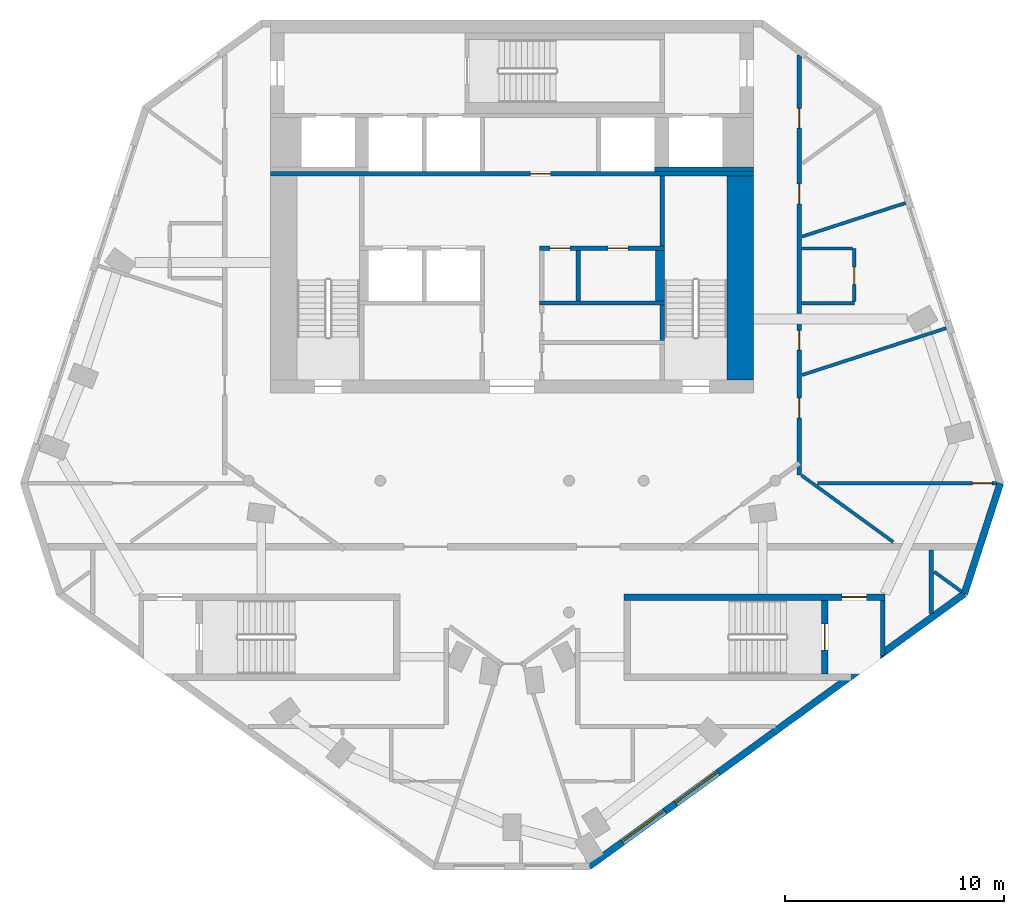
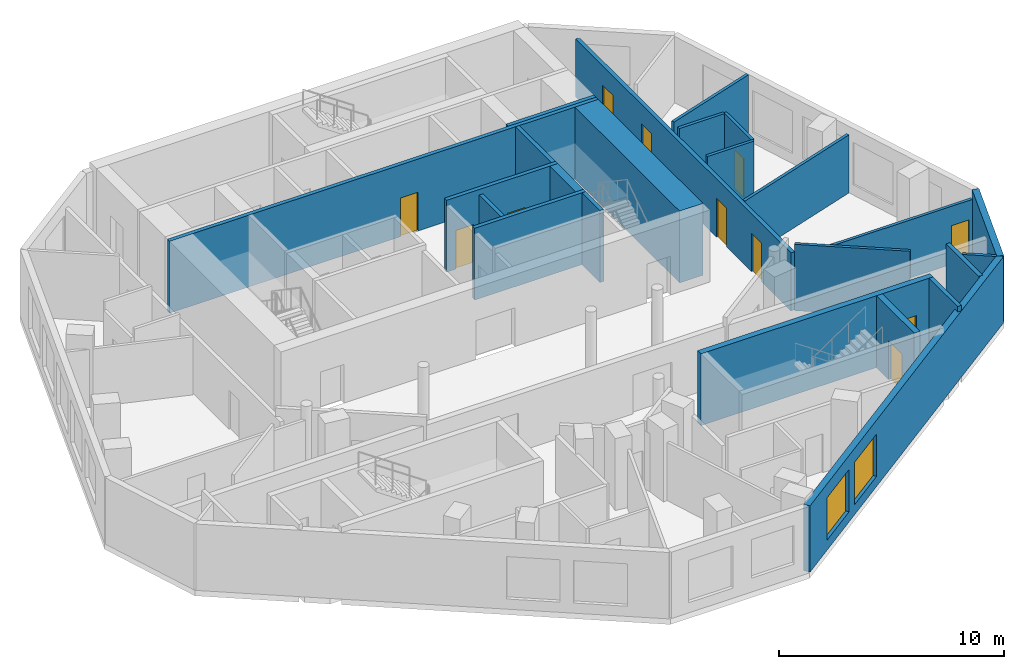
# One storey, part 4 of 8: 24 walls, 11 doors, 2 windows, 13 openings.
"""IFC4 building model written with IfcOpenShell, lengths in metres."""

from ifc_helpers import new_model, si_unit, direction, frame, frame_2d, origin, place, context, subcontext, project, spatial, rectangle, extrude, material, layer, layer_set, type_object, element, fill, save


model = new_model("IFC4")

# Units and contexts
model_context = context("Model", 3, precision=1e-05, world=origin(), true_north=direction((0.0, 1.0)))
body_context = subcontext(model_context, "Body", "Model", "MODEL_VIEW")
ifc_project = project(units=[si_unit("LENGTHUNIT", "METRE"), si_unit("AREAUNIT", "SQUARE_METRE"), si_unit("VOLUMEUNIT", "CUBIC_METRE"), si_unit("PLANEANGLEUNIT", "RADIAN"), si_unit("MASSUNIT", "GRAM", prefix="KILO")], contexts=[model_context])

# Site, building, storey
site_placement = place(None, origin())
site = spatial("IfcSite", under=ifc_project, at=site_placement, CompositionType="ELEMENT")
building_placement = place(site_placement, origin())
building = spatial("IfcBuilding", under=site, at=building_placement, Name="White Candle Pilgrim Tower", CompositionType="ELEMENT")
storey_placement = place(building_placement, frame((0.0, 0.0, 313.89990234375)))
storey = spatial("IfcBuildingStorey", under=building, at=storey_placement, Name="L74", CompositionType="ELEMENT", Elevation=313.89990234375)

# Walls
ifc_material_1 = material(Name="Concrete C40/50", Category="concrete")
ifc_layer_1 = layer(ifc_material_1, 0.199951171875)
ifc_layer_set_1 = layer_set([ifc_layer_1], Name="Core wall 200 mm Concrete C40/50")
wall_type_1 = type_object("IfcWallType", Name="Core wall 200 mm Concrete C40/50", PredefinedType="SHEAR", material=ifc_layer_set_1)
wall_1_placement = place(storey_placement, frame((86.89990234375, 59.023193359375, 0.0), z_axis=(0.0, 0.0, 1.0), x_axis=(0.0, 1.0, 0.0)))
element("IfcWall", 1, at=wall_1_placement, inside=storey, type_object=wall_type_1, Name="WL-L74-C08", PredefinedType="SHEAR", context=body_context, shape_type="SweptSolid", body=[
    extrude(rectangle(XDim=2.52685546875, YDim=0.199951171875, at=frame_2d((1.263427734375, 0.0))), origin(), (0.0, 0.0, 1.0), 3.900146484375),
])
wall_2_placement = place(storey_placement, frame((76.5, 81.199951171875, 0.0), z_axis=(0.0, 0.0, 1.0), x_axis=(1.0, 0.0, 0.0)))
element("IfcWall", 2, at=wall_2_placement, inside=storey, type_object=wall_type_1, Name="WL-L74-C38", PredefinedType="SHEAR", context=body_context, shape_type="SweptSolid", body=[
    extrude(rectangle(XDim=4.5, YDim=0.199951171875, at=frame_2d((2.25, 0.0))), origin(), (0.0, 0.0, 1.0), 3.900146484375),
])

# Wall, openings, doors
ifc_material_2 = material(Name="Gypsum board on steel studs", Category="steel")
ifc_layer_2 = layer(ifc_material_2, 0.199951171875)
ifc_layer_set_2 = layer_set([ifc_layer_2], Name="Corridor wall 200 mm EI 45")
wall_type_2 = type_object("IfcWallType", Name="Corridor wall 200 mm EI 45", PredefinedType="PARTITIONING", material=ifc_layer_set_2)
wall_3_placement = place(storey_placement, frame((83.10009765625, 86.396240234375, 0.0), z_axis=(0.0, 0.0, 1.0), x_axis=(0.0, -1.0, 0.0)))
wall_3 = element("IfcWall", 3, at=wall_3_placement, inside=storey, type_object=wall_type_2, Name="WL-L74-P005", PredefinedType="PARTITIONING", context=body_context, shape_type="SweptSolid", body=[
    extrude(rectangle(XDim=19.14404296875, YDim=0.199951171875, at=frame_2d((9.572021484375, 0.0))), origin(), (0.0, 0.0, 1.0), 3.150146484375),
])
opening_1_placement = place(wall_3_placement, frame((2.421630859375, 0.0, 0.0)))
opening_1 = element("IfcOpeningElement", 4, at=opening_1_placement, cuts=wall_3, Name="Opening T22-113", PredefinedType="OPENING", context=body_context, shape_type="SweptSolid", body=[
    extrude(rectangle(XDim=0.89990234375, YDim=2.10009765625, at=frame_2d((0.449951171875, 1.050048828125))), frame((0.0, 0.10986328125, 0.0), z_axis=(0.0, -1.0, 0.0), x_axis=(1.0, 0.0, 0.0)), (0.0, 0.0, 1.0), 0.219970703125),
])
opening_2_placement = place(wall_3_placement, frame((5.872802734375, 0.0, 0.0)))
opening_2 = element("IfcOpeningElement", 5, at=opening_2_placement, cuts=wall_3, Name="Opening T22-114", PredefinedType="OPENING", context=body_context, shape_type="SweptSolid", body=[
    extrude(rectangle(XDim=0.89990234375, YDim=2.10009765625, at=frame_2d((0.449951171875, 1.050048828125))), frame((0.0, 0.10986328125, 0.0), z_axis=(0.0, -1.0, 0.0), x_axis=(1.0, 0.0, 0.0)), (0.0, 0.0, 1.0), 0.219970703125),
])
opening_3_placement = place(wall_3_placement, frame((12.539306640625, 0.0, 0.0)))
opening_3 = element("IfcOpeningElement", 6, at=opening_3_placement, cuts=wall_3, Name="Opening T22-115", PredefinedType="OPENING", context=body_context, shape_type="SweptSolid", body=[
    extrude(rectangle(XDim=0.89990234375, YDim=2.10009765625, at=frame_2d((0.449951171875, 1.050048828125))), frame((0.0, 0.10986328125, 0.0), z_axis=(0.0, -1.0, 0.0), x_axis=(1.0, 0.0, 0.0)), (0.0, 0.0, 1.0), 0.219970703125),
])
opening_4_placement = place(wall_3_placement, frame((15.6279296875, 0.0, 0.0)))
opening_4 = element("IfcOpeningElement", 7, at=opening_4_placement, cuts=wall_3, Name="Opening T22-116", PredefinedType="OPENING", context=body_context, shape_type="SweptSolid", body=[
    extrude(rectangle(XDim=0.89990234375, YDim=2.10009765625, at=frame_2d((0.449951171875, 1.050048828125))), frame((0.0, 0.10986328125, 0.0), z_axis=(0.0, -1.0, 0.0), x_axis=(1.0, 0.0, 0.0)), (0.0, 0.0, 1.0), 0.219970703125),
])
ifc_material_3 = material(Name="Steel door leaf", Category="steel")
door_type_1 = type_object("IfcDoorType", Name="Fire door 900 x 2100 EI 30", OperationType="NOTDEFINED", PredefinedType="DOOR", material=ifc_material_3)
door_1_placement = place(opening_1_placement, origin())
door_1 = element("IfcDoor", 8, at=door_1_placement, inside=storey, type_object=door_type_1, Name="Door T22-113", OperationType="SINGLE_SWING_LEFT", OverallHeight=2.10009765625, OverallWidth=0.89990234375, PredefinedType="DOOR", context=body_context, shape_type="SweptSolid", body=[
    extrude(rectangle(XDim=0.89990234375, YDim=2.10009765625, at=frame_2d((0.449951171875, 1.050048828125))), frame((0.0, 0.02490234375, 0.0), z_axis=(0.0, -1.0, 0.0), x_axis=(1.0, 0.0, 0.0)), (0.0, 0.0, 1.0), 0.050048828125),
])
fill(opening_1, door_1)
door_2_placement = place(opening_2_placement, origin())
door_2 = element("IfcDoor", 9, at=door_2_placement, inside=storey, type_object=door_type_1, Name="Door T22-114", OperationType="SINGLE_SWING_RIGHT", OverallHeight=2.10009765625, OverallWidth=0.89990234375, PredefinedType="DOOR", context=body_context, shape_type="SweptSolid", body=[
    extrude(rectangle(XDim=0.89990234375, YDim=2.10009765625, at=frame_2d((0.449951171875, 1.050048828125))), frame((0.0, 0.02490234375, 0.0), z_axis=(0.0, -1.0, 0.0), x_axis=(1.0, 0.0, 0.0)), (0.0, 0.0, 1.0), 0.050048828125),
])
fill(opening_2, door_2)
door_3_placement = place(opening_3_placement, origin())
door_3 = element("IfcDoor", 10, at=door_3_placement, inside=storey, type_object=door_type_1, Name="Door T22-115", OperationType="SINGLE_SWING_LEFT", OverallHeight=2.10009765625, OverallWidth=0.89990234375, PredefinedType="DOOR", context=body_context, shape_type="SweptSolid", body=[
    extrude(rectangle(XDim=0.89990234375, YDim=2.10009765625, at=frame_2d((0.449951171875, 1.050048828125))), frame((0.0, 0.02490234375, 0.0), z_axis=(0.0, -1.0, 0.0), x_axis=(1.0, 0.0, 0.0)), (0.0, 0.0, 1.0), 0.050048828125),
])
fill(opening_3, door_3)
door_4_placement = place(opening_4_placement, origin())
door_4 = element("IfcDoor", 11, at=door_4_placement, inside=storey, type_object=door_type_1, Name="Door T22-116", OperationType="SINGLE_SWING_RIGHT", OverallHeight=2.10009765625, OverallWidth=0.89990234375, PredefinedType="DOOR", context=body_context, shape_type="SweptSolid", body=[
    extrude(rectangle(XDim=0.89990234375, YDim=2.10009765625, at=frame_2d((0.449951171875, 1.050048828125))), frame((0.0, 0.02490234375, 0.0), z_axis=(0.0, -1.0, 0.0), x_axis=(1.0, 0.0, 0.0)), (0.0, 0.0, 1.0), 0.050048828125),
])
fill(opening_4, door_4)

# Wall
wall_4_placement = place(storey_placement, frame((89.10009765625, 63.85009765625, 0.0), z_axis=(0.0, 0.0, 1.0), x_axis=(0.0, -1.0, 0.0)))
element("IfcWall", 12, at=wall_4_placement, inside=storey, type_object=wall_type_2, Name="WL-L74-P007", PredefinedType="PARTITIONING", context=body_context, shape_type="SweptSolid", body=[
    extrude(rectangle(XDim=2.90576171875, YDim=0.199951171875, at=frame_2d((1.452880859375, 0.0))), origin(), (0.0, 0.0, 1.0), 3.60009765625),
])

# Wall, openings, windows
ifc_material_4 = material(Name="Precast concrete C40/50", Category="concrete")
ifc_layer_3 = layer(ifc_material_4, 0.320068359375)
ifc_layer_set_3 = layer_set([ifc_layer_3], Name="Facade wall EW1 precast concrete C40/50 pier wall with timber-lined reveals")
wall_type_3 = type_object("IfcWallType", Name="Facade wall EW1 precast concrete C40/50 pier wall with timber-lined reveals", PredefinedType="SOLIDWALL", material=ifc_layer_set_3)
wall_5_placement = place(storey_placement, frame((73.521484375, 49.42822265625, 0.0), z_axis=(0.0, 0.0, 1.0), x_axis=(0.809014717996, 0.587788385447, 0.0)))
wall_5 = element("IfcWall", 13, at=wall_5_placement, inside=storey, type_object=wall_type_3, Name="Facade wall L74 SE", PredefinedType="SOLIDWALL", context=body_context, shape_type="SweptSolid", body=[
    extrude(rectangle(XDim=21.1357421875, YDim=0.320068359375, at=frame_2d((10.56787109375, 0.0))), origin(), (0.0, 0.0, 1.0), 3.60009765625),
])
opening_5_placement = place(wall_5_placement, frame((1.867919921875, 0.0, 0.550048828125)))
opening_5 = element("IfcOpeningElement", 14, at=opening_5_placement, cuts=wall_5, Name="Opening W5", PredefinedType="OPENING", context=body_context, shape_type="SweptSolid", body=[
    extrude(rectangle(XDim=2.39990234375, YDim=2.300048828125, at=frame_2d((1.199951171875, 1.14990234375))), frame((0.0, 0.169921875, 0.0), z_axis=(0.0, -1.0, 0.0), x_axis=(1.0, 0.0, 0.0)), (0.0, 0.0, 1.0), 0.340087890625),
])
opening_6_placement = place(wall_5_placement, frame((4.867919921875, 0.0, 0.550048828125)))
opening_6 = element("IfcOpeningElement", 15, at=opening_6_placement, cuts=wall_5, Name="Opening W5", PredefinedType="OPENING", context=body_context, shape_type="SweptSolid", body=[
    extrude(rectangle(XDim=2.39990234375, YDim=2.300048828125, at=frame_2d((1.199951171875, 1.14990234375))), frame((0.0, 0.169921875, 0.0), z_axis=(0.0, -1.0, 0.0), x_axis=(1.0, 0.0, 0.0)), (0.0, 0.0, 1.0), 0.340087890625),
])
ifc_material_5 = material(Name="Timber frame with triple glazing", Category="wood")
window_type = type_object("IfcWindowType", Name="Window W5 2400x2300 timber frame triple glazing", PartitioningType="SINGLE_PANEL", PredefinedType="WINDOW", material=ifc_material_5)
window_1_placement = place(opening_5_placement, origin())
window_1 = element("IfcWindow", 16, at=window_1_placement, inside=storey, type_object=window_type, Name="Window W5 L74 SE 1", OverallHeight=2.300048828125, OverallWidth=2.39990234375, PartitioningType="SINGLE_PANEL", PredefinedType="WINDOW", context=body_context, shape_type="SweptSolid", body=[
    extrude(rectangle(XDim=2.39990234375, YDim=2.300048828125, at=frame_2d((1.199951171875, 1.14990234375))), frame((0.0, 0.070068359375, 0.0), z_axis=(0.0, -1.0, 0.0), x_axis=(1.0, 0.0, 0.0)), (0.0, 0.0, 1.0), 0.06005859375),
])
fill(opening_5, window_1)
window_2_placement = place(opening_6_placement, origin())
window_2 = element("IfcWindow", 17, at=window_2_placement, inside=storey, type_object=window_type, Name="Window W5 L74 SE 2", OverallHeight=2.300048828125, OverallWidth=2.39990234375, PartitioningType="SINGLE_PANEL", PredefinedType="WINDOW", context=body_context, shape_type="SweptSolid", body=[
    extrude(rectangle(XDim=2.39990234375, YDim=2.300048828125, at=frame_2d((1.199951171875, 1.14990234375))), frame((0.0, 0.070068359375, 0.0), z_axis=(0.0, -1.0, 0.0), x_axis=(1.0, 0.0, 0.0)), (0.0, 0.0, 1.0), 0.06005859375),
])
fill(opening_6, window_2)

# Walls
wall_6_placement = place(storey_placement, frame((90.62060546875, 61.8515625, 0.0), z_axis=(0.0, 0.0, 1.0), x_axis=(0.30904851291, 0.951046274725, 0.0)))
element("IfcWall", 18, at=wall_6_placement, inside=storey, type_object=wall_type_3, Name="Facade wall L74 E chamfer", PredefinedType="SOLIDWALL", context=body_context, shape_type="SweptSolid", body=[
    extrude(rectangle(XDim=5.291259765625, YDim=0.320068359375, at=frame_2d((2.6455078125, 0.0))), origin(), (0.0, 0.0, 1.0), 3.60009765625),
])
ifc_layer_4 = layer(ifc_material_2, 0.199951171875)
ifc_layer_set_4 = layer_set([ifc_layer_4], Name="Lobby wall 200 mm EI 60")
wall_type_4 = type_object("IfcWallType", Name="Lobby wall 200 mm EI 60", PredefinedType="PARTITIONING", material=ifc_layer_set_4)
wall_7_placement = place(storey_placement, frame((73.02001953125, 75.199951171875, 0.0), z_axis=(0.0, 0.0, 1.0), x_axis=(0.0, 1.0, 0.0)))
element("IfcWall", 19, at=wall_7_placement, inside=storey, type_object=wall_type_4, Name="WL-L74-C27", PredefinedType="PARTITIONING", context=body_context, shape_type="SweptSolid", body=[
    extrude(rectangle(XDim=2.300048828125, YDim=0.199951171875, at=frame_2d((1.14990234375, 0.0))), origin(), (0.0, 0.0, 1.0), 3.60009765625),
])
ifc_layer_5 = layer(ifc_material_2, 0.14990234375)
ifc_layer_set_5 = layer_set([ifc_layer_5], Name="Partition 150 mm EI 60")
wall_type_5 = type_object("IfcWallType", Name="Partition 150 mm EI 60", PredefinedType="PARTITIONING", material=ifc_layer_set_5)
wall_8_placement = place(storey_placement, frame((90.484619140625, 61.950439453125, 0.0), z_axis=(0.0, 0.0, 1.0), x_axis=(-0.809059590881, 0.587726618764, 0.0)))
element("IfcWall", 20, at=wall_8_placement, inside=storey, type_object=wall_type_5, Name="WL-L74-P021", PredefinedType="PARTITIONING", context=body_context, shape_type="SweptSolid", body=[
    extrude(rectangle(XDim=1.533203125, YDim=0.14990234375, at=frame_2d((0.7666015625, 0.0))), origin(), (0.0, 0.0, 1.0), 3.60009765625),
])
wall_9_placement = place(storey_placement, frame((87.37353515625, 64.210693359375, 0.0), z_axis=(0.0, 0.0, 1.0), x_axis=(-0.809024239464, 0.587775280153, 0.0)))
element("IfcWall", 21, at=wall_9_placement, inside=storey, type_object=wall_type_5, Name="WL-L74-P022", PredefinedType="PARTITIONING", context=body_context, shape_type="SweptSolid", body=[
    extrude(rectangle(XDim=5.164306640625, YDim=0.14990234375, at=frame_2d((2.58203125, 0.0))), origin(), (0.0, 0.0, 1.0), 3.60009765625),
])

# Wall, opening, door
wall_10_placement = place(storey_placement, frame((92.08740234375, 66.8837890625, 0.0), z_axis=(0.0, 0.0, 1.0), x_axis=(-1.0, 0.0, 0.0)))
wall_10 = element("IfcWall", 22, at=wall_10_placement, inside=storey, type_object=wall_type_5, Name="WL-L74-P023", PredefinedType="PARTITIONING", context=body_context, shape_type="SweptSolid", body=[
    extrude(rectangle(XDim=8.162353515625, YDim=0.14990234375, at=frame_2d((4.0810546875, 0.0))), origin(), (0.0, 0.0, 1.0), 3.150146484375),
])
opening_7_placement = place(wall_10_placement, frame((0.199951171875, 0.0, 0.0)))
opening_7 = element("IfcOpeningElement", 23, at=opening_7_placement, cuts=wall_10, Name="Opening T22-117", PredefinedType="OPENING", context=body_context, shape_type="SweptSolid", body=[
    extrude(rectangle(XDim=0.89990234375, YDim=2.10009765625, at=frame_2d((0.449951171875, 1.050048828125))), frame((0.0, 0.0849609375, 0.0), z_axis=(0.0, -1.0, 0.0), x_axis=(1.0, 0.0, 0.0)), (0.0, 0.0, 1.0), 0.169921875),
])
door_5_placement = place(opening_7_placement, origin())
door_5 = element("IfcDoor", 24, at=door_5_placement, inside=storey, type_object=door_type_1, Name="Door T22-117", OperationType="SINGLE_SWING_LEFT", OverallHeight=2.10009765625, OverallWidth=0.89990234375, PredefinedType="DOOR", context=body_context, shape_type="SweptSolid", body=[
    extrude(rectangle(XDim=0.89990234375, YDim=2.10009765625, at=frame_2d((0.449951171875, 1.050048828125))), frame((0.0, 0.02490234375, 0.0), z_axis=(0.0, -1.0, 0.0), x_axis=(1.0, 0.0, 0.0)), (0.0, 0.0, 1.0), 0.050048828125),
])
fill(opening_7, door_5)

# Walls
wall_11_placement = place(storey_placement, frame((89.7900390625, 73.95458984375, 0.0), z_axis=(0.0, 0.0, 1.0), x_axis=(-0.951053294802, -0.309026908936, 0.0)))
element("IfcWall", 25, at=wall_11_placement, inside=storey, type_object=wall_type_5, Name="WL-L74-P033", PredefinedType="PARTITIONING", context=body_context, shape_type="SweptSolid", body=[
    extrude(rectangle(XDim=6.90478515625, YDim=0.14990234375, at=frame_2d((3.452392578125, 0.0))), origin(), (0.0, 0.0, 1.0), 3.150146484375),
])
wall_12_placement = place(storey_placement, frame((87.93603515625, 79.660888671875, 0.0), z_axis=(0.0, 0.0, 1.0), x_axis=(-0.95104565369, -0.309050424036, 0.0)))
element("IfcWall", 26, at=wall_12_placement, inside=storey, type_object=wall_type_5, Name="WL-L74-P034", PredefinedType="PARTITIONING", context=body_context, shape_type="SweptSolid", body=[
    extrude(rectangle(XDim=4.95556640625, YDim=0.14990234375, at=frame_2d((2.477783203125, 0.0))), origin(), (0.0, 0.0, 1.0), 3.60009765625),
])
wall_13_placement = place(storey_placement, frame((83.199951171875, 75.089599609375, 0.0), z_axis=(0.0, 0.0, 1.0), x_axis=(1.0, 0.0, 0.0)))
element("IfcWall", 27, at=wall_13_placement, inside=storey, type_object=wall_type_5, Name="WL-L74-P035", PredefinedType="PARTITIONING", context=body_context, shape_type="SweptSolid", body=[
    extrude(rectangle(XDim=2.400146484375, YDim=0.14990234375, at=frame_2d((1.2001953125, 0.0))), origin(), (0.0, 0.0, 1.0), 3.60009765625),
])

# Wall, opening, door
wall_14_placement = place(storey_placement, frame((85.60009765625, 77.589599609375, 0.0), z_axis=(0.0, 0.0, 1.0), x_axis=(0.0, -1.0, 0.0)))
wall_14 = element("IfcWall", 28, at=wall_14_placement, inside=storey, type_object=wall_type_5, Name="WL-L74-P036", PredefinedType="PARTITIONING", context=body_context, shape_type="SweptSolid", body=[
    extrude(rectangle(XDim=2.425048828125, YDim=0.14990234375, at=frame_2d((1.21240234375, 0.0))), origin(), (0.0, 0.0, 1.0), 3.60009765625),
])
opening_8_placement = place(wall_14_placement, frame((0.85009765625, 0.0, 0.0)))
opening_8 = element("IfcOpeningElement", 29, at=opening_8_placement, cuts=wall_14, Name="Opening T22-107", PredefinedType="OPENING", context=body_context, shape_type="SweptSolid", body=[
    extrude(rectangle(XDim=0.800048828125, YDim=2.10009765625, at=frame_2d((0.39990234375, 1.050048828125))), frame((0.0, 0.0849609375, 0.0), z_axis=(0.0, -1.0, 0.0), x_axis=(1.0, 0.0, 0.0)), (0.0, 0.0, 1.0), 0.169921875),
])
door_type_2 = type_object("IfcDoorType", Name="Fire door 800 x 2100 EI 30", OperationType="NOTDEFINED", PredefinedType="DOOR", material=ifc_material_3)
door_6_placement = place(opening_8_placement, origin())
door_6 = element("IfcDoor", 30, at=door_6_placement, inside=storey, type_object=door_type_2, Name="Door T22-107", OperationType="SINGLE_SWING_LEFT", OverallHeight=2.10009765625, OverallWidth=0.800048828125, PredefinedType="DOOR", context=body_context, shape_type="SweptSolid", body=[
    extrude(rectangle(XDim=0.800048828125, YDim=2.10009765625, at=frame_2d((0.39990234375, 1.050048828125))), frame((0.0, 0.02490234375, 0.0), z_axis=(0.0, -1.0, 0.0), x_axis=(1.0, 0.0, 0.0)), (0.0, 0.0, 1.0), 0.050048828125),
])
fill(opening_8, door_6)

# Walls
wall_15_placement = place(storey_placement, frame((83.199951171875, 77.589599609375, 0.0), z_axis=(0.0, 0.0, 1.0), x_axis=(1.0, 0.0, 0.0)))
element("IfcWall", 31, at=wall_15_placement, inside=storey, type_object=wall_type_5, Name="WL-L74-P037", PredefinedType="PARTITIONING", context=body_context, shape_type="SweptSolid", body=[
    extrude(rectangle(XDim=2.324951171875, YDim=0.14990234375, at=frame_2d((1.16259765625, 0.0))), origin(), (0.0, 0.0, 1.0), 3.60009765625),
])
ifc_layer_6 = layer(ifc_material_1, 1.199951171875)
ifc_layer_set_6 = layer_set([ifc_layer_6], Name="Stair shaft wall 1200 mm Concrete C40/50")
wall_type_6 = type_object("IfcWallType", Name="Stair shaft wall 1200 mm Concrete C40/50", PredefinedType="SHEAR", material=ifc_layer_set_6)
wall_16_placement = place(storey_placement, frame((80.39990234375, 71.60009765625, 0.0), z_axis=(0.0, 0.0, 1.0), x_axis=(0.0, 1.0, 0.0)))
element("IfcWall", 32, at=wall_16_placement, inside=storey, type_object=wall_type_6, Name="WL-L74-C17", PredefinedType="SHEAR", context=body_context, shape_type="SweptSolid", body=[
    extrude(rectangle(XDim=9.2998046875, YDim=1.199951171875, at=frame_2d((4.64990234375, 0.0))), origin(), (0.0, 0.0, 1.0), 3.900146484375),
])
ifc_layer_7 = layer(ifc_material_1, 0.199951171875)
ifc_layer_set_7 = layer_set([ifc_layer_7], Name="Stair shaft wall 200 mm Concrete C40/50")
wall_type_7 = type_object("IfcWallType", Name="Stair shaft wall 200 mm Concrete C40/50", PredefinedType="SHEAR", material=ifc_layer_set_7)
wall_17_placement = place(storey_placement, frame((76.85009765625, 73.39990234375, 0.0), z_axis=(0.0, 0.0, 1.0), x_axis=(0.0, 1.0, 0.0)))
element("IfcWall", 33, at=wall_17_placement, inside=storey, type_object=wall_type_7, Name="WL-L74-C20", PredefinedType="SHEAR", context=body_context, shape_type="SweptSolid", body=[
    extrude(rectangle(XDim=1.60009765625, YDim=0.199951171875, at=frame_2d((0.800048828125, 0.0))), origin(), (0.0, 0.0, 1.0), 3.900146484375),
])
wall_18_placement = place(storey_placement, frame((71.25, 75.10009765625, 0.0), z_axis=(0.0, 0.0, 1.0), x_axis=(1.0, 0.0, 0.0)))
element("IfcWall", 34, at=wall_18_placement, inside=storey, type_object=wall_type_7, Name="WL-L74-C22", PredefinedType="SHEAR", context=body_context, shape_type="SweptSolid", body=[
    extrude(rectangle(XDim=5.699951171875, YDim=0.199951171875, at=frame_2d((2.85009765625, 0.0))), origin(), (0.0, 0.0, 1.0), 3.900146484375),
])

# Wall, openings, doors
wall_19_placement = place(storey_placement, frame((71.25, 77.60009765625, 0.0), z_axis=(0.0, 0.0, 1.0), x_axis=(1.0, 0.0, 0.0)))
wall_19 = element("IfcWall", 35, at=wall_19_placement, inside=storey, type_object=wall_type_7, Name="WL-L74-C30", PredefinedType="SHEAR", context=body_context, shape_type="SweptSolid", body=[
    extrude(rectangle(XDim=5.699951171875, YDim=0.199951171875, at=frame_2d((2.85009765625, 0.0))), origin(), (0.0, 0.0, 1.0), 3.900146484375),
])
opening_9_placement = place(wall_19_placement, frame((0.485107421875, 0.0, 0.0)))
opening_9 = element("IfcOpeningElement", 36, at=opening_9_placement, cuts=wall_19, Name="Opening T22-020", PredefinedType="OPENING", context=body_context, shape_type="SweptSolid", body=[
    extrude(rectangle(XDim=0.89990234375, YDim=2.10009765625, at=frame_2d((0.449951171875, 1.050048828125))), frame((0.0, 0.10986328125, 0.0), z_axis=(0.0, -1.0, 0.0), x_axis=(1.0, 0.0, 0.0)), (0.0, 0.0, 1.0), 0.219970703125),
])
opening_10_placement = place(wall_19_placement, frame((3.135009765625, 0.0, 0.0)))
opening_10 = element("IfcOpeningElement", 37, at=opening_10_placement, cuts=wall_19, Name="Opening T22-021", PredefinedType="OPENING", context=body_context, shape_type="SweptSolid", body=[
    extrude(rectangle(XDim=0.89990234375, YDim=2.10009765625, at=frame_2d((0.449951171875, 1.050048828125))), frame((0.0, 0.10986328125, 0.0), z_axis=(0.0, -1.0, 0.0), x_axis=(1.0, 0.0, 0.0)), (0.0, 0.0, 1.0), 0.219970703125),
])
door_7_placement = place(opening_9_placement, origin())
door_7 = element("IfcDoor", 38, at=door_7_placement, inside=storey, type_object=door_type_1, Name="Door T22-020", OperationType="SINGLE_SWING_RIGHT", OverallHeight=2.10009765625, OverallWidth=0.89990234375, PredefinedType="DOOR", context=body_context, shape_type="SweptSolid", body=[
    extrude(rectangle(XDim=0.89990234375, YDim=2.10009765625, at=frame_2d((0.449951171875, 1.050048828125))), frame((0.0, 0.02490234375, 0.0), z_axis=(0.0, -1.0, 0.0), x_axis=(1.0, 0.0, 0.0)), (0.0, 0.0, 1.0), 0.050048828125),
])
fill(opening_9, door_7)
door_8_placement = place(opening_10_placement, origin())
door_8 = element("IfcDoor", 39, at=door_8_placement, inside=storey, type_object=door_type_1, Name="Door T22-021", OperationType="SINGLE_SWING_LEFT", OverallHeight=2.10009765625, OverallWidth=0.89990234375, PredefinedType="DOOR", context=body_context, shape_type="SweptSolid", body=[
    extrude(rectangle(XDim=0.89990234375, YDim=2.10009765625, at=frame_2d((0.449951171875, 1.050048828125))), frame((0.0, 0.02490234375, 0.0), z_axis=(0.0, -1.0, 0.0), x_axis=(1.0, 0.0, 0.0)), (0.0, 0.0, 1.0), 0.050048828125),
])
fill(opening_10, door_8)

# Wall
wall_20_placement = place(storey_placement, frame((76.85009765625, 77.699951171875, 0.0), z_axis=(0.0, 0.0, 1.0), x_axis=(0.0, 1.0, 0.0)))
element("IfcWall", 40, at=wall_20_placement, inside=storey, type_object=wall_type_7, Name="WL-L74-C32", PredefinedType="SHEAR", context=body_context, shape_type="SweptSolid", body=[
    extrude(rectangle(XDim=3.199951171875, YDim=0.199951171875, at=frame_2d((1.60009765625, 0.0))), origin(), (0.0, 0.0, 1.0), 3.900146484375),
])

# Wall, opening, door
wall_21_placement = place(storey_placement, frame((59.0, 81.0, 0.0), z_axis=(0.0, 0.0, 1.0), x_axis=(1.0, 0.0, 0.0)))
wall_21 = element("IfcWall", 41, at=wall_21_placement, inside=storey, type_object=wall_type_7, Name="WL-L74-C33", PredefinedType="SHEAR", context=body_context, shape_type="SweptSolid", body=[
    extrude(rectangle(XDim=22.0, YDim=0.199951171875, at=frame_2d((11.0, 0.0))), origin(), (0.0, 0.0, 1.0), 3.900146484375),
])
opening_11_placement = place(wall_21_placement, frame((11.85009765625, 0.0, 0.0)))
opening_11 = element("IfcOpeningElement", 42, at=opening_11_placement, cuts=wall_21, Name="Opening T22-022", PredefinedType="OPENING", context=body_context, shape_type="SweptSolid", body=[
    extrude(rectangle(XDim=0.89990234375, YDim=2.10009765625, at=frame_2d((0.449951171875, 1.050048828125))), frame((0.0, 0.10986328125, 0.0), z_axis=(0.0, -1.0, 0.0), x_axis=(1.0, 0.0, 0.0)), (0.0, 0.0, 1.0), 0.219970703125),
])
door_9_placement = place(opening_11_placement, origin())
door_9 = element("IfcDoor", 43, at=door_9_placement, inside=storey, type_object=door_type_1, Name="Door T22-022", OperationType="SINGLE_SWING_RIGHT", OverallHeight=2.10009765625, OverallWidth=0.89990234375, PredefinedType="DOOR", context=body_context, shape_type="SweptSolid", body=[
    extrude(rectangle(XDim=0.89990234375, YDim=2.10009765625, at=frame_2d((0.449951171875, 1.050048828125))), frame((0.0, 0.02490234375, 0.0), z_axis=(0.0, -1.0, 0.0), x_axis=(1.0, 0.0, 0.0)), (0.0, 0.0, 1.0), 0.050048828125),
])
fill(opening_11, door_9)

ifc_layer_8 = layer(ifc_material_1, 0.300048828125)
ifc_layer_set_8 = layer_set([ifc_layer_8], Name="Stair shaft wall 300 mm Concrete C40/50")
wall_type_8 = type_object("IfcWallType", Name="Stair shaft wall 300 mm Concrete C40/50", PredefinedType="SHEAR", material=ifc_layer_set_8)
wall_22_placement = place(storey_placement, frame((84.25, 58.199951171875, 0.0), z_axis=(0.0, 0.0, 1.0), x_axis=(0.0, 1.0, 0.0)))
wall_22 = element("IfcWall", 44, at=wall_22_placement, inside=storey, type_object=wall_type_8, Name="WL-L74-C06", PredefinedType="SHEAR", context=body_context, shape_type="SweptSolid", body=[
    extrude(rectangle(XDim=3.35009765625, YDim=0.300048828125, at=frame_2d((1.675048828125, 0.0))), origin(), (0.0, 0.0, 1.0), 3.900146484375),
])
opening_12_placement = place(wall_22_placement, frame((1.074951171875, 0.0, 0.0)))
opening_12 = element("IfcOpeningElement", 45, at=opening_12_placement, cuts=wall_22, Name="Opening T22-013", PredefinedType="OPENING", context=body_context, shape_type="SweptSolid", body=[
    extrude(rectangle(XDim=1.199951171875, YDim=2.10009765625, at=frame_2d((0.60009765625, 1.050048828125))), frame((0.0, 0.159912109375, 0.0), z_axis=(0.0, -1.0, 0.0), x_axis=(1.0, 0.0, 0.0)), (0.0, 0.0, 1.0), 0.320068359375),
])
door_type_3 = type_object("IfcDoorType", Name="Fire door 1200 x 2100 EI 60", OperationType="NOTDEFINED", PredefinedType="DOOR", material=ifc_material_3)
door_10_placement = place(opening_12_placement, origin())
door_10 = element("IfcDoor", 46, at=door_10_placement, inside=storey, type_object=door_type_3, Name="Door T22-013", OperationType="SINGLE_SWING_LEFT", OverallHeight=2.10009765625, OverallWidth=1.199951171875, PredefinedType="DOOR", context=body_context, shape_type="SweptSolid", body=[
    extrude(rectangle(XDim=1.199951171875, YDim=2.10009765625, at=frame_2d((0.60009765625, 1.050048828125))), frame((0.0, 0.02490234375, 0.0), z_axis=(0.0, -1.0, 0.0), x_axis=(1.0, 0.0, 0.0)), (0.0, 0.0, 1.0), 0.050048828125),
])
fill(opening_12, door_10)

wall_23_placement = place(storey_placement, frame((75.10009765625, 61.699951171875, 0.0), z_axis=(0.0, 0.0, 1.0), x_axis=(1.0, 0.0, 0.0)))
wall_23 = element("IfcWall", 47, at=wall_23_placement, inside=storey, type_object=wall_type_8, Name="WL-L74-C10", PredefinedType="SHEAR", context=body_context, shape_type="SweptSolid", body=[
    extrude(rectangle(XDim=11.89990234375, YDim=0.300048828125, at=frame_2d((5.949951171875, 0.0))), origin(), (0.0, 0.0, 1.0), 3.900146484375),
])
opening_13_placement = place(wall_23_placement, frame((9.949951171875, 0.0, 0.0)))
opening_13 = element("IfcOpeningElement", 48, at=opening_13_placement, cuts=wall_23, Name="Opening T22-012", PredefinedType="OPENING", context=body_context, shape_type="SweptSolid", body=[
    extrude(rectangle(XDim=1.10009765625, YDim=2.10009765625, at=frame_2d((0.550048828125, 1.050048828125))), frame((0.0, 0.159912109375, 0.0), z_axis=(0.0, -1.0, 0.0), x_axis=(1.0, 0.0, 0.0)), (0.0, 0.0, 1.0), 0.320068359375),
])
door_type_4 = type_object("IfcDoorType", Name="Fire door 1100 x 2100 EI 60", OperationType="NOTDEFINED", PredefinedType="DOOR", material=ifc_material_3)
door_11_placement = place(opening_13_placement, frame((1.10009765625, 0.0, 0.0), z_axis=(0.0, 0.0, 1.0), x_axis=(-1.0, 0.0, 0.0)))
door_11 = element("IfcDoor", 49, at=door_11_placement, inside=storey, type_object=door_type_4, Name="Door T22-012", OperationType="SINGLE_SWING_LEFT", OverallHeight=2.10009765625, OverallWidth=1.10009765625, PredefinedType="DOOR", context=body_context, shape_type="SweptSolid", body=[
    extrude(rectangle(XDim=1.10009765625, YDim=2.10009765625, at=frame_2d((0.550048828125, 1.050048828125))), frame((0.0, 0.02490234375, 0.0), z_axis=(0.0, -1.0, 0.0), x_axis=(1.0, 0.0, 0.0)), (0.0, 0.0, 1.0), 0.050048828125),
])
fill(opening_13, door_11)

# Wall
ifc_layer_9 = layer(ifc_material_1, 0.39990234375)
ifc_layer_set_9 = layer_set([ifc_layer_9], Name="Stair shaft wall 400 mm Concrete C40/50")
wall_type_9 = type_object("IfcWallType", Name="Stair shaft wall 400 mm Concrete C40/50", PredefinedType="SHEAR", material=ifc_layer_set_9)
wall_24_placement = place(storey_placement, frame((76.75, 75.199951171875, 0.0), z_axis=(0.0, 0.0, 1.0), x_axis=(0.0, 1.0, 0.0)))
element("IfcWall", 50, at=wall_24_placement, inside=storey, type_object=wall_type_9, Name="WL-L74-C28", PredefinedType="SHEAR", context=body_context, shape_type="SweptSolid", body=[
    extrude(rectangle(XDim=2.300048828125, YDim=0.39990234375, at=frame_2d((1.14990234375, 0.0))), origin(), (0.0, 0.0, 1.0), 3.900146484375),
])

save(model, "model.ifc")
